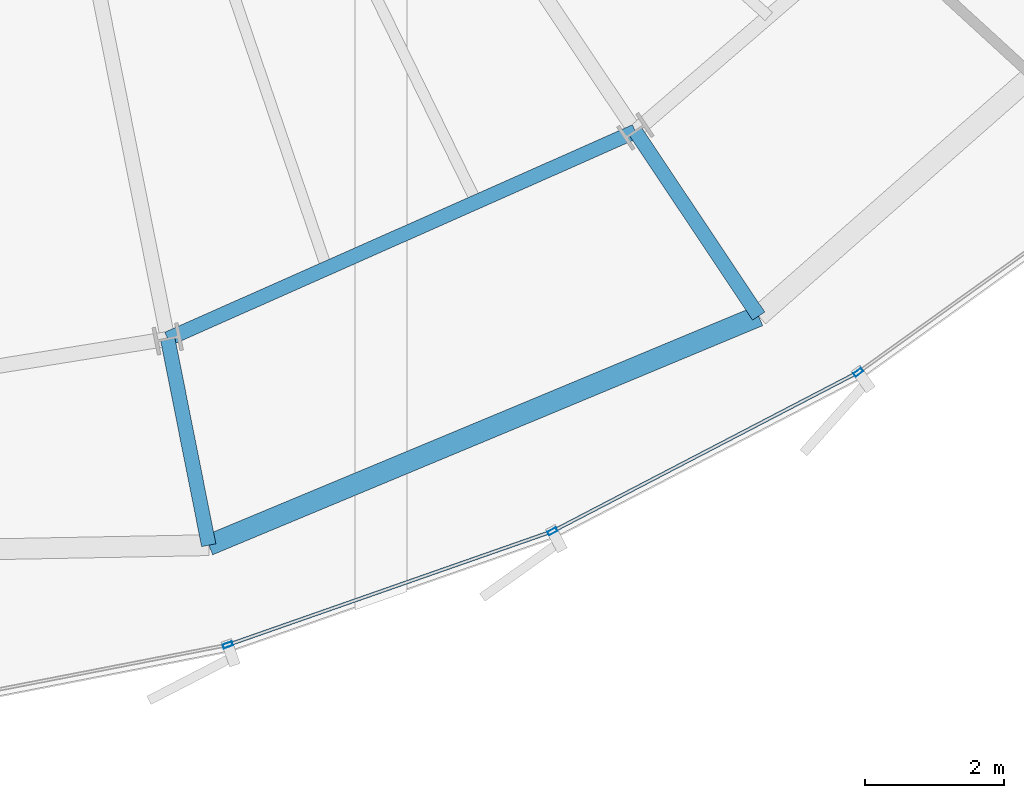
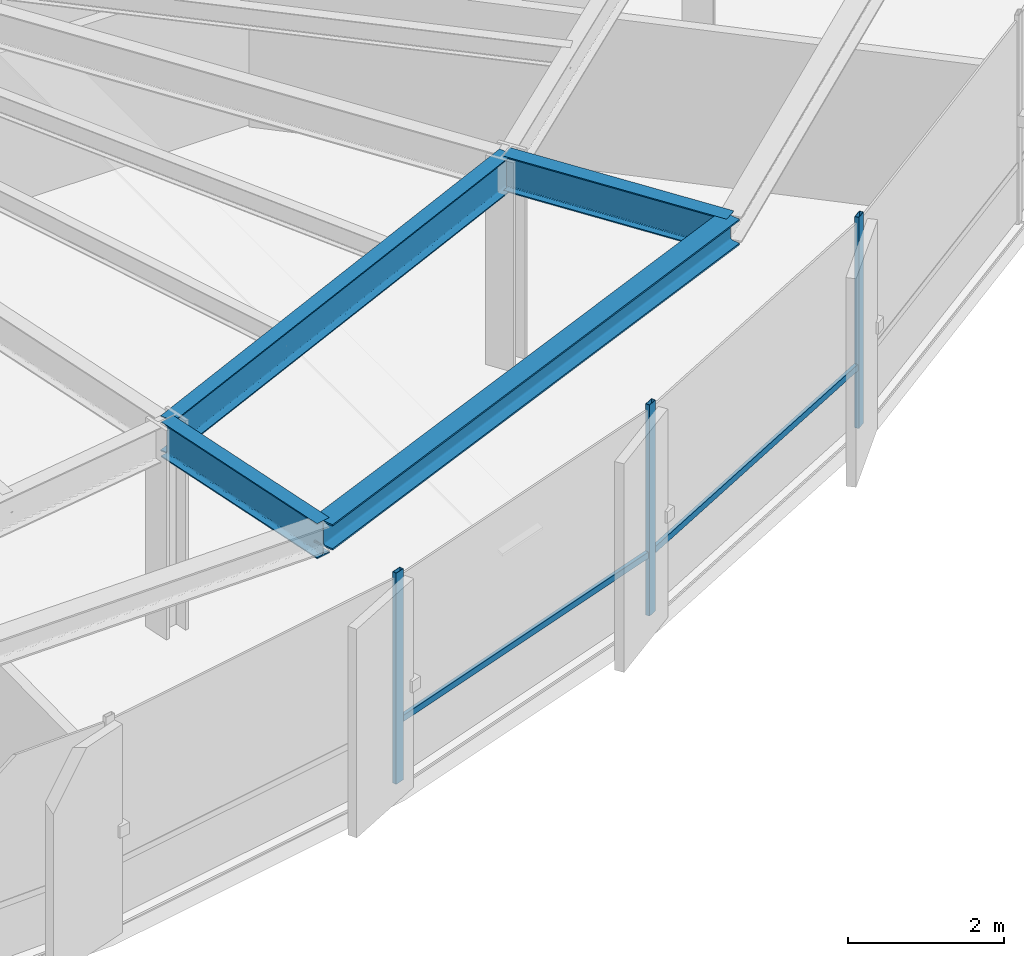
# One storey, part 11 of 34: 5 members, 4 beams, 1 element without a shape of its own.
"""IFC4 building model written with IfcOpenShell, lengths in metres."""

from ifc_helpers import new_model, si_unit, direction, frame, origin, origin_2d, place, context, subcontext, project, spatial, hollow_rectangle, i_section, extrude, source, transform, mapped, material, layer, layer_set, material_profile, profile_set, type_object, element, aggregate, save


model = new_model("IFC4")

# Units and contexts
model_context = context("Model", 3, precision=1e-05, world=origin(), true_north=direction((0.0, 1.0)))
body_context = subcontext(model_context, "Body", "Model", "MODEL_VIEW")
ifc_project = project(units=[si_unit("LENGTHUNIT", "METRE"), si_unit("AREAUNIT", "SQUARE_METRE"), si_unit("VOLUMEUNIT", "CUBIC_METRE"), si_unit("PLANEANGLEUNIT", "RADIAN"), si_unit("MASSUNIT", "GRAM", prefix="KILO"), si_unit("THERMODYNAMICTEMPERATUREUNIT", "KELVIN")], contexts=[model_context])

# Site, building, storey
site_placement = place(None, origin())
site = spatial("IfcSite", under=ifc_project, at=site_placement, CompositionType="ELEMENT")
building_placement = place(site_placement, origin())
building = spatial("IfcBuilding", under=site, at=building_placement, Name="Kethvar Cultural Tower", CompositionType="ELEMENT")
storey_placement = place(building_placement, frame((0.0, 0.0, 128.800048828125)))
storey = spatial("IfcBuildingStorey", under=building, at=storey_placement, Name="L32", CompositionType="ELEMENT", Elevation=128.800048828125)

# Beams
ifc_material_1 = material(Name="Steel S355J2", Category="steel")
ifc_material_profile_1 = material_profile(ifc_material_1, i_section(OverallWidth=0.2099609375, OverallDepth=0.550048828125, WebThickness=0.010986328125, FlangeThickness=0.01708984375, FilletRadius=0.02392578125, at=origin_2d()), Name="Steel S355J2 — IPE550")
ifc_profile_set_1 = profile_set([ifc_material_profile_1], Name="Steel S355J2 — IPE550")
beam_type_1 = type_object("IfcBeamType", Name="BM-IPE550", PredefinedType="BEAM", material=ifc_profile_set_1)
shared_shape_1 = source(origin(), body_context, "Body", "SweptSolid", [
    extrude(i_section(OverallWidth=0.2099609375, OverallDepth=0.550048828125, WebThickness=0.010986328125, FlangeThickness=0.01708984375, FilletRadius=0.02392578125, at=origin_2d()), origin(), (0.0, 0.0, 1.0), 3.199951171875),
])
beam_1_placement = place(storey_placement, frame((57.241943359375, 12.17236328125, 3.02294921875), z_axis=(0.555580212716, -0.831462943996, 0.0), x_axis=(0.831462943996, 0.555580212716, 0.0)))
element("IfcBeam", 1, at=beam_1_placement, inside=storey, type_object=beam_type_1, Name="L32 Perimeter Cantilever Beam RC-14", PredefinedType="BEAM", context=body_context, shape_type="MappedRepresentation", body=[
    mapped(shared_shape_1, transform((0.0, 0.0, 0.0), scale=1.0)),
])
shared_shape_2 = source(origin(), body_context, "Body", "SweptSolid", [
    extrude(i_section(OverallWidth=0.2099609375, OverallDepth=0.550048828125, WebThickness=0.010986328125, FlangeThickness=0.01708984375, FilletRadius=0.02392578125, at=origin_2d()), origin(), (0.0, 0.0, 1.0), 7.3720703125),
])
beam_2_placement = place(storey_placement, frame((50.50341796875, 9.182373046875, 3.02294921875), z_axis=(0.914058560918, 0.405582232367, 0.0), x_axis=(-0.405582232367, 0.914058560918, 0.0)))
element("IfcBeam", 2, at=beam_2_placement, inside=storey, type_object=beam_type_1, Name="L32 Column Ring Tie Beam CR-13", PredefinedType="BEAM", context=body_context, shape_type="MappedRepresentation", body=[
    mapped(shared_shape_2, transform((0.0, 0.0, 0.0), scale=1.0)),
])
shared_shape_3 = source(origin(), body_context, "Body", "SweptSolid", [
    extrude(i_section(OverallWidth=0.2099609375, OverallDepth=0.550048828125, WebThickness=0.010986328125, FlangeThickness=0.01708984375, FilletRadius=0.02392578125, at=origin_2d()), origin(), (0.0, 0.0, 1.0), 3.030517578125),
])
beam_3_placement = place(storey_placement, frame((50.50341796875, 9.182373046875, 3.02294921875), z_axis=(0.195031576929, -0.980796963699, 0.0), x_axis=(0.980796963699, 0.195031576929, 0.0)))
element("IfcBeam", 3, at=beam_3_placement, inside=storey, type_object=beam_type_1, Name="L32 Perimeter Cantilever Beam RC-13", PredefinedType="BEAM", context=body_context, shape_type="MappedRepresentation", body=[
    mapped(shared_shape_3, transform((0.0, 0.0, 0.0), scale=1.0)),
])
ifc_material_profile_2 = material_profile(ifc_material_1, i_section(OverallWidth=0.300048828125, OverallDepth=0.39990234375, WebThickness=0.013427734375, FlangeThickness=0.02392578125, FilletRadius=0.027099609375, at=origin_2d()), Name="Steel S355J2 — HEB400")
ifc_profile_set_2 = profile_set([ifc_material_profile_2], Name="Steel S355J2 — HEB400")
beam_type_2 = type_object("IfcBeamType", Name="BM-SP400", PredefinedType="SPANDREL", material=ifc_profile_set_2)
shared_shape_4 = source(origin(), body_context, "Body", "SweptSolid", [
    extrude(i_section(OverallWidth=0.300048828125, OverallDepth=0.39990234375, WebThickness=0.013427734375, FlangeThickness=0.02392578125, FilletRadius=0.027099609375, at=origin_2d()), origin(), (0.0, 0.0, 1.0), 8.58544921875),
])
beam_4_placement = place(storey_placement, frame((51.094482421875, 6.2099609375, 3.097900390625), z_axis=(0.923095430767, 0.384570963148, 0.0), x_axis=(-0.384570963148, 0.923095430767, 0.0)))
element("IfcBeam", 4, at=beam_4_placement, inside=storey, type_object=beam_type_2, Name="L32 Perimeter Spandrel Beam SP-13", PredefinedType="SPANDREL", context=body_context, shape_type="MappedRepresentation", body=[
    mapped(shared_shape_4, transform((0.0, 0.0, 0.0), scale=1.0)),
])

# Curtain wall, members
ifc_material_2 = material(Name="Aluminium 6063-T6", Category="aluminium")
ifc_layer = layer(ifc_material_2, 0.179931640625, Name="Aluminium 6063-T6", Category="aluminium")
ifc_layer_set = layer_set([ifc_layer], Name="Aluminium 6063-T6 (180 mm)")
curtain_wall_type = type_object("IfcCurtainWallType", Name="CW-SYS-04-Z34", PredefinedType="NOTDEFINED", material=ifc_layer_set)
curtain_wall_placement = place(storey_placement, origin())
curtain_wall = element("IfcCurtainWall", 5, at=curtain_wall_placement, inside=storey, type_object=curtain_wall_type, Name="L32 Curtain Wall Run 05", PredefinedType="NOTDEFINED")
ifc_material_profile_3 = material_profile(ifc_material_2, hollow_rectangle(XDim=0.06005859375, YDim=0.139892578125, WallThickness=0.0048828125, at=origin_2d()), Name="Aluminium 6063-T6 — RHS140x60x5")
ifc_profile_set_3 = profile_set([ifc_material_profile_3], Name="Aluminium 6063-T6 — RHS140x60x5")
member_type_1 = type_object("IfcMemberType", Name="CW-SYS-04-Z34-MUL", PredefinedType="MULLION", material=ifc_profile_set_3)
shared_shape_5 = source(origin(), body_context, "Body", "SweptSolid", [
    extrude(hollow_rectangle(XDim=0.06005859375, YDim=0.139892578125, WallThickness=0.0048828125, at=origin_2d()), origin(), (0.0, 0.0, 1.0), 3.300048828125),
])
member_1_placement = place(storey_placement, frame((51.369384765625, 4.77197265625, 0.0), z_axis=(0.0, 0.0, 1.0), x_axis=(-0.330481447644, 0.943812488137, 0.0)))
member_1 = element("IfcMember", 6, at=member_1_placement, type_object=member_type_1, Name="CW-L32-R05 Mullion 3", PredefinedType="MULLION", context=body_context, shape_type="MappedRepresentation", body=[
    mapped(shared_shape_5, transform((0.0, 0.0, 0.0), scale=1.0)),
])
member_2_placement = place(storey_placement, frame((56.048095703125, 6.408935546875, 0.0), z_axis=(0.0, 0.0, 1.0), x_axis=(-0.461655723146, 0.887059182516, 0.0)))
member_2 = element("IfcMember", 7, at=member_2_placement, type_object=member_type_1, Name="CW-L32-R05 Mullion 4", PredefinedType="MULLION", context=body_context, shape_type="MappedRepresentation", body=[
    mapped(shared_shape_5, transform((0.0, 0.0, 0.0), scale=1.0)),
])
member_3_placement = place(storey_placement, frame((60.45458984375, 8.700927734375, 0.0), z_axis=(0.0, 0.0, 1.0), x_axis=(-0.583229350657, 0.812307530762, 0.0)))
member_3 = element("IfcMember", 8, at=member_3_placement, type_object=member_type_1, Name="CW-L32-R05 Mullion 5", PredefinedType="MULLION", context=body_context, shape_type="MappedRepresentation", body=[
    mapped(shared_shape_5, transform((0.0, 0.0, 0.0), scale=1.0)),
])
ifc_material_profile_4 = material_profile(ifc_material_2, hollow_rectangle(XDim=0.050048828125, YDim=0.10009765625, WallThickness=0.00390625, at=origin_2d()), Name="Aluminium 6063-T6 — RHS100x50x4")
ifc_profile_set_4 = profile_set([ifc_material_profile_4], Name="Aluminium 6063-T6 — RHS100x50x4")
member_type_2 = type_object("IfcMemberType", Name="CW-SYS-04-Z34-TRN", PredefinedType="USERDEFINED", material=ifc_profile_set_4)
shared_shape_6 = source(origin(), body_context, "Body", "SweptSolid", [
    extrude(hollow_rectangle(XDim=0.050048828125, YDim=0.10009765625, WallThickness=0.00390625, at=origin_2d()), origin(), (0.0, 0.0, 1.0), 4.896240234375),
])
member_4_placement = place(storey_placement, frame((56.08642578125, 6.428955078125, 0.949951171875), z_axis=(0.887069803651, 0.461635314345, 0.0), x_axis=(-0.461635314345, 0.887069803651, 0.0)))
member_4 = element("IfcMember", 9, at=member_4_placement, type_object=member_type_2, Name="CW-L32-R05 Transom 4", ObjectType="TRANSOM", PredefinedType="USERDEFINED", context=body_context, shape_type="MappedRepresentation", body=[
    mapped(shared_shape_6, transform((0.0, 0.0, 0.0), scale=1.0)),
])
shared_shape_7 = source(origin(), body_context, "Body", "SweptSolid", [
    extrude(hollow_rectangle(XDim=0.050048828125, YDim=0.10009765625, WallThickness=0.00390625, at=origin_2d()), origin(), (0.0, 0.0, 1.0), 4.885986328125),
])
member_5_placement = place(storey_placement, frame((51.410400390625, 4.7861328125, 0.949951171875), z_axis=(0.943808488222, 0.330492870664, 0.0), x_axis=(-0.330492870664, 0.943808488222, 0.0)))
member_5 = element("IfcMember", 10, at=member_5_placement, type_object=member_type_2, Name="CW-L32-R05 Transom 3", ObjectType="TRANSOM", PredefinedType="USERDEFINED", context=body_context, shape_type="MappedRepresentation", body=[
    mapped(shared_shape_7, transform((0.0, 0.0, 0.0), scale=1.0)),
])
aggregate(curtain_wall, [member_1, member_2, member_3, member_5, member_4])

save(model, "model.ifc")
